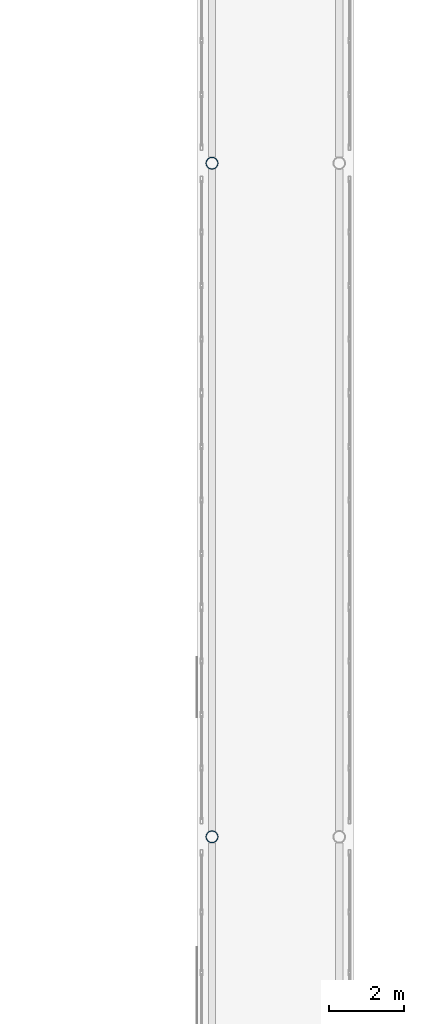
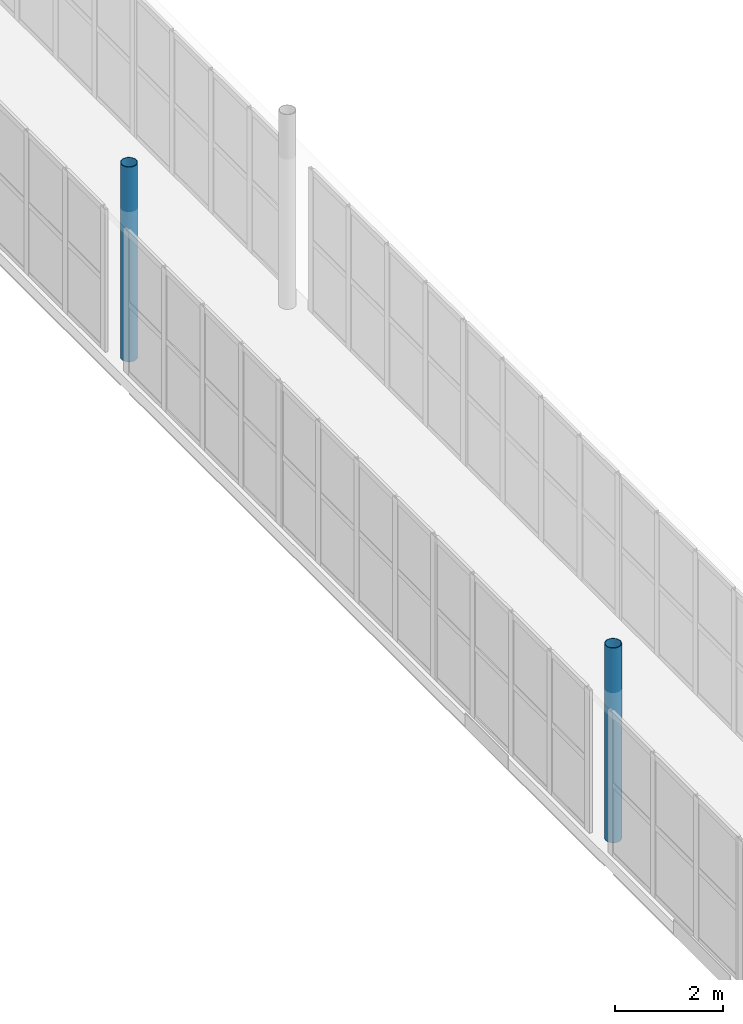
# One storey, part 4 of 142: 2 columns.
"""IFC4 building model written with IfcOpenShell, lengths in metres."""

from ifc_helpers import new_model, si_unit, direction, frame, origin, origin_2d, place, context, subcontext, project, spatial, hollow_circle, extrude, material, material_profile, profile_set, type_object, element, save


model = new_model("IFC4")

# Units and contexts
model_context = context("Model", 3, precision=1e-05, world=origin(), true_north=direction((0.0, 1.0)))
body_context = subcontext(model_context, "Body", "Model", "MODEL_VIEW")
ifc_project = project(units=[si_unit("LENGTHUNIT", "METRE"), si_unit("AREAUNIT", "SQUARE_METRE"), si_unit("VOLUMEUNIT", "CUBIC_METRE"), si_unit("PLANEANGLEUNIT", "RADIAN"), si_unit("MASSUNIT", "GRAM", prefix="KILO")], contexts=[model_context])

# Site, building, storey
site_placement = place(None, origin())
site = spatial("IfcSite", under=ifc_project, at=site_placement, CompositionType="ELEMENT")
building_placement = place(site_placement, origin())
building = spatial("IfcBuilding", under=site, at=building_placement, Name="Valcora Specialist Clinic", CompositionType="ELEMENT")
storey_placement = place(building_placement, frame((0.0, 0.0, 5.10009765625)))
storey = spatial("IfcBuildingStorey", under=building, at=storey_placement, Name="L01", CompositionType="ELEMENT", Elevation=5.10009765625)

# Columns
ifc_material = material(Name="Steel ASTM A500 Grade C", Category="steel")
ifc_material_profile = material_profile(ifc_material, hollow_circle(Radius=0.162109375, WallThickness=0.011962890625, at=origin_2d()), Name="ST-CHS-324X12")
ifc_profile_set = profile_set([ifc_material_profile], Name="Steel ASTM A500 Grade C")
column_type = type_object("IfcColumnType", Name="TY-COL-CHS324", PredefinedType="COLUMN", material=ifc_profile_set)
for number, where, z_axis, x_axis, name in (
    (1, (61.60009765625, 38.0, 0.0), (0.0, 0.0, 1.0), (1.0, 0.0, 0.0), "Column COL-L01-0967"),
    (2, (61.60009765625, 56.0, 0.0), (0.0, 0.0, 1.0), (1.0, 0.0, 0.0), "Column COL-L01-0973"),
):
    element("IfcColumn", number, at=place(storey_placement, frame(where, z_axis=z_axis, x_axis=x_axis)), inside=storey, type_object=column_type, Name=name, PredefinedType="COLUMN", context=body_context, shape_type="SweptSolid", body=[
        extrude(hollow_circle(Radius=0.162109375, WallThickness=0.011962890625, at=origin_2d()), origin(), (0.0, 0.0, 1.0), 4.419921875),
    ])

save(model, "model.ifc")
